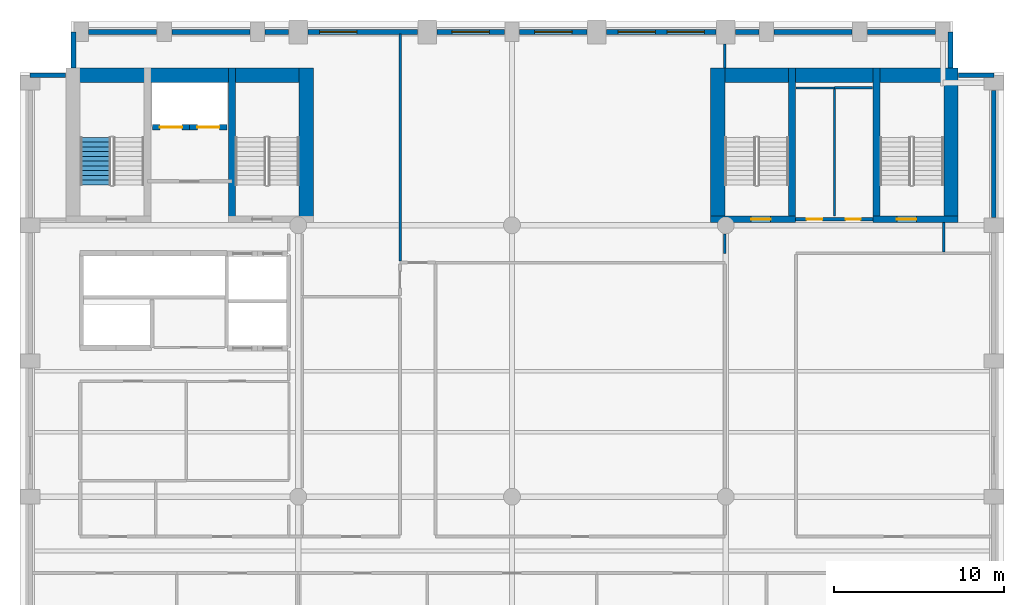
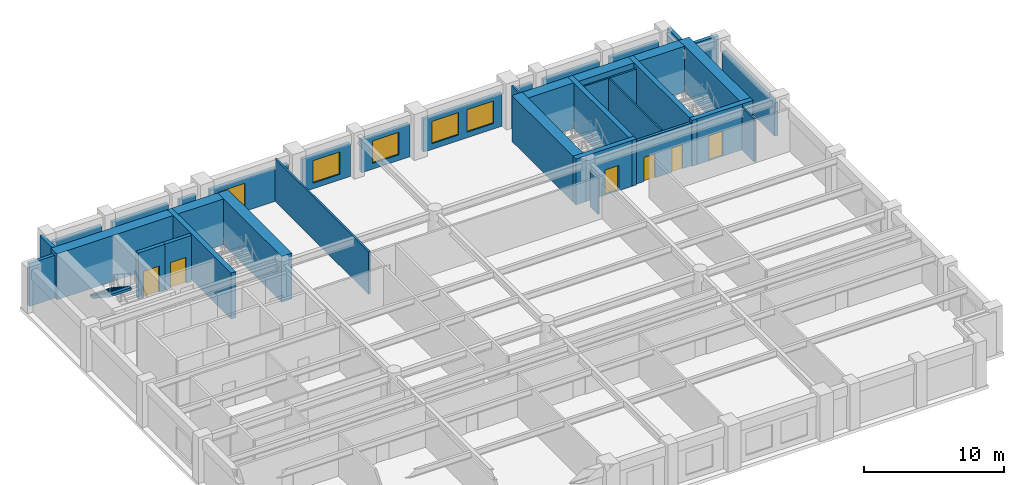
# One storey, part 5 of 8: 35 walls, 6 doors, 5 windows, 1 stair flight, 11 openings, 1 element without a shape of its own.
"""IFC4 building model written with IfcOpenShell, lengths in metres."""

import ifcopenshell
import ifcopenshell.guid

model = None  # the IFC model being written
_history = None  # IfcOwnerHistory: only IFC2X3 demands one
_inside = {}  # id of a spatial element -> (the spatial element, [elements in it])
_under = {}  # id of a project, library or spatial element -> (it, [spatial elements below it])
_declared = {}  # id of a project -> (the project, [libraries it declares])
_typed = {}  # id of a type object -> (the type object, [elements of that type])
_made_of = {}  # id of a material, layer set ... -> (it, [elements and type objects made of it])


def new_model(schema):
    """Start an empty IFC model of exactly this schema.

    Asked for "IFC4X3", IfcOpenShell would pick the latest addendum, in which some entities
    have other attributes; the version numbers below select the first issue.
    IFC2X3 requires an IfcOwnerHistory on every rooted entity: one is made here for all.
    """
    global model, _history
    if schema == "IFC4X3":
        model = ifcopenshell.file(schema_version=(4, 3, 0, 0))
    else:
        model = ifcopenshell.file(schema=schema)
    _inside.clear()
    _under.clear()
    _declared.clear()
    _typed.clear()
    _made_of.clear()
    _history = None
    if model.schema == "IFC2X3":
        org = make("IfcOrganization", Name="unknown")
        user = make(
            "IfcPersonAndOrganization",
            ThePerson=make("IfcPerson", FamilyName="unknown"),
            TheOrganization=org,
        )
        app = make(
            "IfcApplication",
            ApplicationDeveloper=org,
            Version="unknown",
            ApplicationFullName="unknown",
            ApplicationIdentifier="unknown",
        )
        _history = make(
            "IfcOwnerHistory",
            OwningUser=user,
            OwningApplication=app,
            ChangeAction="ADDED",
            CreationDate=0,
        )
    return model


def make(cls, **values):
    """One entity of the class cls with the attributes given. An attribute that is None is left unset."""
    return model.create_entity(
        cls, **{name: value for name, value in values.items() if value is not None}
    )


def rooted(cls, **values):
    """An entity with a GlobalId (a new one), such as an element, a storey or a relation."""
    return make(cls, GlobalId=ifcopenshell.guid.new(), OwnerHistory=_history, **values)


def si_unit(unit_type, name, prefix=None):
    """IfcSIUnit, for example si_unit("LENGTHUNIT", "METRE", prefix="MILLI")."""
    return make("IfcSIUnit", UnitType=unit_type, Prefix=prefix, Name=name)


def assignment(units):
    """IfcUnitAssignment: the units of a project."""
    return None if units is None else make("IfcUnitAssignment", Units=units)


def point(xyz):
    """IfcCartesianPoint."""
    return None if xyz is None else make("IfcCartesianPoint", Coordinates=xyz)


def direction(xyz):
    """IfcDirection."""
    return None if xyz is None else make("IfcDirection", DirectionRatios=xyz)


def frame(location, z_axis=None, x_axis=None):
    """IfcAxis2Placement3D, a coordinate frame: its origin and axes. An axis left out is left unset."""
    return make(
        "IfcAxis2Placement3D",
        Location=point(location),
        Axis=direction(z_axis),
        RefDirection=direction(x_axis),
    )


def frame_2d(location, x_axis=None):
    """IfcAxis2Placement2D, a coordinate frame in the plane: its origin and x axis."""
    return make(
        "IfcAxis2Placement2D", Location=point(location), RefDirection=direction(x_axis)
    )


def origin():
    """The frame at (0, 0, 0) with its axes left unset."""
    return frame((0.0, 0.0, 0.0))


def place(relative_to, where):
    """IfcLocalPlacement: puts the frame where relative to a parent placement (None: the world)."""
    return make(
        "IfcLocalPlacement", PlacementRelTo=relative_to, RelativePlacement=where
    )


def context(
    kind, dimensions, precision=None, world=None, true_north=None, identifier=None
):
    """IfcGeometricRepresentationContext, for example the 3D "Model" context."""
    return make(
        "IfcGeometricRepresentationContext",
        ContextIdentifier=identifier,
        ContextType=kind,
        CoordinateSpaceDimension=dimensions,
        Precision=precision,
        WorldCoordinateSystem=world,
        TrueNorth=true_north,
    )


def subcontext(parent, identifier, kind, view, scale=None):
    """IfcGeometricRepresentationSubContext, for example "Body" below "Model"."""
    return make(
        "IfcGeometricRepresentationSubContext",
        ContextIdentifier=identifier,
        ContextType=kind,
        ParentContext=parent,
        TargetScale=scale,
        TargetView=view,
    )


def project(units=None, contexts=None):
    """IfcProject with its units and contexts."""
    return rooted(
        "IfcProject",
        Name="project",
        RepresentationContexts=contexts,
        UnitsInContext=assignment(units),
    )


def spatial(cls, under=None, at=None, **own):
    """A site, building, storey or space (cls), placed at a placement, below another one or the project."""
    s = rooted(cls, ObjectPlacement=at, **own)
    if under is not None:
        _under.setdefault(under.id(), (under, []))[1].append(s)
    return s


def polyline(points):
    """IfcPolyline through the points."""
    return make("IfcPolyline", Points=[point(p) for p in points])


def profile(cls, at=None, kind="AREA", **sizes):
    """A parametric profile (cls). Its sizes go by their IFC names, for example OverallWidth=200.0."""
    return make(cls, ProfileType=kind, Position=at, **sizes)


def rectangle(**sizes):
    """IfcRectangleProfileDef."""
    return profile("IfcRectangleProfileDef", **sizes)


def outline(outer, holes=None, kind="AREA"):
    """IfcArbitraryClosedProfileDef: a profile drawn as a closed curve; with holes, ...WithVoids."""
    if holes is None:
        return make("IfcArbitraryClosedProfileDef", ProfileType=kind, OuterCurve=outer)
    return make(
        "IfcArbitraryProfileDefWithVoids",
        ProfileType=kind,
        OuterCurve=outer,
        InnerCurves=holes,
    )


def extrude(swept, where, along, depth):
    """IfcExtrudedAreaSolid: the profile swept, set in the frame where, extruded along a direction by depth."""
    return make(
        "IfcExtrudedAreaSolid",
        SweptArea=swept,
        Position=where,
        ExtrudedDirection=direction(along),
        Depth=depth,
    )


def shape(context_of_items, identifier, shape_type, items):
    """IfcShapeRepresentation: the items that make up one representation, for example the "Body"."""
    return make(
        "IfcShapeRepresentation",
        ContextOfItems=context_of_items,
        RepresentationIdentifier=identifier,
        RepresentationType=shape_type,
        Items=items,
    )


def material(Name=None, Category=None):
    """IfcMaterial."""
    return make("IfcMaterial", Name=Name, Category=Category)


def layer(
    of_material, thickness, ventilated=None, Name=None, Category=None, Priority=None
):
    """IfcMaterialLayer: one layer of a wall or slab, of a material (None: an air gap)."""
    return make(
        "IfcMaterialLayer",
        Material=of_material,
        LayerThickness=thickness,
        IsVentilated=ventilated,
        Name=Name,
        Category=Category,
        Priority=Priority,
    )


def layer_set(layers, Name=None):
    """IfcMaterialLayerSet."""
    return make("IfcMaterialLayerSet", MaterialLayers=layers, LayerSetName=Name)


def made_of(thing, what):
    """Note that an element or type object is made of a material, layer set ...; save() writes the relation."""
    if what is not None:
        _made_of.setdefault(what.id(), (what, []))[1].append(thing)
    return thing


def type_object(cls, material=None, **own):
    """A type object (cls), such as IfcWallType, which elements share."""
    return made_of(rooted(cls, **own), material)


def element(
    cls,
    number,
    at=None,
    inside=None,
    cuts=None,
    type_object=None,
    material=None,
    context=None,
    identifier="Body",
    shape_type=None,
    held_by="IfcProductDefinitionShape",
    body=None,
    shapes=None,
    **own,
):
    """One element of the class cls, such as IfcWall. Its Tag is "e" and its number.

    at: its placement. inside: the storey or other place that contains it. cuts: it is an
    opening in that element (IfcRelVoidsElement). A single representation is given by context,
    identifier, shape_type and body (its items); several are given by shapes. held_by: the class
    of the entity that holds the representations. save() writes the other relations.
    """
    e = rooted(cls, Tag="e%d" % number, ObjectPlacement=at, **own)
    if body is not None:
        shapes = [shape(context, identifier, shape_type, body)]
    if shapes is not None:
        e.Representation = make(held_by, Representations=shapes)
    if inside is not None:
        _inside.setdefault(inside.id(), (inside, []))[1].append(e)
    if cuts is not None:
        rooted(
            "IfcRelVoidsElement", RelatingBuildingElement=cuts, RelatedOpeningElement=e
        )
    if type_object is not None:
        _typed.setdefault(type_object.id(), (type_object, []))[1].append(e)
    return made_of(e, material)


def fill(opening, filler):
    """IfcRelFillsElement: the door or window that sits in an opening."""
    return rooted(
        "IfcRelFillsElement",
        RelatingOpeningElement=opening,
        RelatedBuildingElement=filler,
    )


def aggregate(whole, parts):
    """IfcRelAggregates: a whole, such as a stair, and the parts it consists of."""
    return rooted("IfcRelAggregates", RelatingObject=whole, RelatedObjects=parts)


def save(model, path):
    """Write the relations noted so far, then the file.

    IfcRelAggregates (storeys below a building ...), IfcRelContainedInSpatialStructure (elements
    in a storey), IfcRelDefinesByType, IfcRelAssociatesMaterial and IfcRelDeclares: one each for
    every whole, place, type object, material and project.
    """
    for whole, parts in _under.values():
        aggregate(whole, parts)
    for where, things in _inside.values():
        rooted(
            "IfcRelContainedInSpatialStructure",
            RelatedElements=things,
            RelatingStructure=where,
        )
    for kind, things in _typed.values():
        rooted("IfcRelDefinesByType", RelatedObjects=things, RelatingType=kind)
    for what, things in _made_of.values():
        rooted("IfcRelAssociatesMaterial", RelatedObjects=things, RelatingMaterial=what)
    for by, libraries in _declared.values():
        rooted("IfcRelDeclares", RelatingContext=by, RelatedDefinitions=libraries)
    model.write(path)


model = new_model("IFC4")

# Units and contexts
model_context = context("Model", 3, precision=1e-05, world=origin(), true_north=direction((0.0, 1.0)))
body_context = subcontext(model_context, "Body", "Model", "MODEL_VIEW")
ifc_project = project(units=[si_unit("LENGTHUNIT", "METRE"), si_unit("AREAUNIT", "SQUARE_METRE"), si_unit("VOLUMEUNIT", "CUBIC_METRE"), si_unit("PLANEANGLEUNIT", "RADIAN"), si_unit("MASSUNIT", "GRAM", prefix="KILO")], contexts=[model_context])

# Site, building, storey
site_placement = place(None, origin())
site = spatial("IfcSite", under=ifc_project, at=site_placement, CompositionType="ELEMENT")
building_placement = place(site_placement, origin())
building = spatial("IfcBuilding", under=site, at=building_placement, Name="Sulina Concourse Tower", CompositionType="ELEMENT")
storey_placement = place(building_placement, frame((0.0, 0.0, 140.60009765625)))
storey = spatial("IfcBuildingStorey", under=building, at=storey_placement, Name="L34", CompositionType="ELEMENT", Elevation=140.60009765625)

# Wall, opening, door
ifc_material_1 = material(Name="Concrete C50/60", Category="concrete")
ifc_layer_1 = layer(ifc_material_1, 0.300048828125)
ifc_layer_set_1 = layer_set([ifc_layer_1], Name="Concrete C50/60")
wall_type_1 = type_object("IfcWallType", Name="Core Lift Hoistway Wall 300mm", PredefinedType="SOLIDWALL", material=ifc_layer_set_1)
wall_1_placement = place(storey_placement, frame((10.0, 39.780029296875, 0.0), z_axis=(0.0, 0.0, 1.0), x_axis=(-1.0, 0.0, 0.0)))
wall_1 = element("IfcWall", 1, at=wall_1_placement, inside=storey, type_object=wall_type_1, Name="L34 hoistway enclosure wall FFL-1", PredefinedType="SOLIDWALL", context=body_context, shape_type="SweptSolid", body=[
    extrude(rectangle(XDim=2.199951171875, YDim=0.300048828125, at=frame_2d((1.10009765625, 0.0))), origin(), (0.0, 0.0, 1.0), 4.0),
])
opening_1_placement = place(wall_1_placement, frame((0.449951171875, 0.0, 0.0)))
opening_1 = element("IfcOpeningElement", 2, at=opening_1_placement, cuts=wall_1, Name="Opening LD-02", PredefinedType="OPENING", context=body_context, shape_type="SweptSolid", body=[
    extrude(rectangle(XDim=1.300048828125, YDim=2.25, at=frame_2d((0.64990234375, 1.125))), frame((0.0, 0.159912109375, 0.0), z_axis=(0.0, -1.0, 0.0), x_axis=(1.0, 0.0, 0.0)), (0.0, 0.0, 1.0), 0.320068359375),
])
ifc_material_2 = material(Name="Stainless steel lift landing door", Category="steel")
ifc_layer_2 = layer(ifc_material_2, 0.050048828125)
ifc_layer_set_2 = layer_set([ifc_layer_2], Name="Stainless steel lift landing door")
door_type_1 = type_object("IfcDoorType", Name="Firefighting Lift Sliding Landing Door 1300x2250", OperationType="SLIDING_TO_RIGHT", PredefinedType="DOOR", material=ifc_layer_set_2)
door_1_placement = place(opening_1_placement, origin())
door_1 = element("IfcDoor", 3, at=door_1_placement, inside=storey, type_object=door_type_1, Name="L34 lift landing sliding door FFL-1", OperationType="SLIDING_TO_LEFT", OverallHeight=2.25, OverallWidth=1.300048828125, PredefinedType="DOOR", context=body_context, shape_type="SweptSolid", body=[
    extrude(rectangle(XDim=1.300048828125, YDim=2.25, at=frame_2d((0.64990234375, 1.125))), frame((0.0, 0.02490234375, 0.0), z_axis=(0.0, -1.0, 0.0), x_axis=(1.0, 0.0, 0.0)), (0.0, 0.0, 1.0), 0.050048828125),
])
fill(opening_1, door_1)

wall_2_placement = place(storey_placement, frame((12.199951171875, 39.780029296875, 0.0), z_axis=(0.0, 0.0, 1.0), x_axis=(-1.0, 0.0, 0.0)))
wall_2 = element("IfcWall", 4, at=wall_2_placement, inside=storey, type_object=wall_type_1, Name="L34 hoistway enclosure wall FFL-2", PredefinedType="SOLIDWALL", context=body_context, shape_type="SweptSolid", body=[
    extrude(rectangle(XDim=2.199951171875, YDim=0.300048828125, at=frame_2d((1.10009765625, 0.0))), origin(), (0.0, 0.0, 1.0), 4.0),
])
opening_2_placement = place(wall_2_placement, frame((0.449951171875, 0.0, 0.0)))
opening_2 = element("IfcOpeningElement", 5, at=opening_2_placement, cuts=wall_2, Name="Opening LD-02", PredefinedType="OPENING", context=body_context, shape_type="SweptSolid", body=[
    extrude(rectangle(XDim=1.300048828125, YDim=2.25, at=frame_2d((0.64990234375, 1.125))), frame((0.0, 0.159912109375, 0.0), z_axis=(0.0, -1.0, 0.0), x_axis=(1.0, 0.0, 0.0)), (0.0, 0.0, 1.0), 0.320068359375),
])
door_2_placement = place(opening_2_placement, origin())
door_2 = element("IfcDoor", 6, at=door_2_placement, inside=storey, type_object=door_type_1, Name="L34 lift landing sliding door FFL-2", OperationType="SLIDING_TO_RIGHT", OverallHeight=2.25, OverallWidth=1.300048828125, PredefinedType="DOOR", context=body_context, shape_type="SweptSolid", body=[
    extrude(rectangle(XDim=1.300048828125, YDim=2.25, at=frame_2d((0.64990234375, 1.125))), frame((0.0, 0.02490234375, 0.0), z_axis=(0.0, -1.0, 0.0), x_axis=(1.0, 0.0, 0.0)), (0.0, 0.0, 1.0), 0.050048828125),
])
fill(opening_2, door_2)

# Wall, openings, doors
ifc_material_3 = material(Name="Gypsum board on steel stud", Category="steel")
ifc_layer_3 = layer(ifc_material_3, 0.219970703125)
ifc_layer_set_3 = layer_set([ifc_layer_3], Name="Gypsum board on steel stud")
wall_type_2 = type_object("IfcWallType", Name="Fire-Rated Lobby & Compartment Wall 220mm", PredefinedType="PARTITIONING", material=ifc_layer_set_3)
wall_3_placement = place(storey_placement, frame((45.719970703125, 34.35009765625, 0.0), z_axis=(0.0, 0.0, 1.0), x_axis=(1.0, 0.0, 0.0)))
wall_3 = element("IfcWall", 7, at=wall_3_placement, inside=storey, type_object=wall_type_2, Name="L34 east core south lobby wall", PredefinedType="PARTITIONING", context=body_context, shape_type="SweptSolid", body=[
    extrude(rectangle(XDim=4.56005859375, YDim=0.219970703125, at=frame_2d((2.280029296875, 0.0))), origin(), (0.0, 0.0, 1.0), 3.724853515625),
])
opening_3_placement = place(wall_3_placement, frame((0.64990234375, 0.0, 0.0)))
opening_3 = element("IfcOpeningElement", 8, at=opening_3_placement, cuts=wall_3, Name="Opening DR-61", PredefinedType="OPENING", context=body_context, shape_type="SweptSolid", body=[
    extrude(rectangle(XDim=0.919921875, YDim=2.10009765625, at=frame_2d((0.4599609375, 1.050048828125))), frame((0.0, 0.119873046875, 0.0), z_axis=(0.0, -1.0, 0.0), x_axis=(1.0, 0.0, 0.0)), (0.0, 0.0, 1.0), 0.239990234375),
])
opening_4_placement = place(wall_3_placement, frame((2.949951171875, 0.0, 0.0)))
opening_4 = element("IfcOpeningElement", 9, at=opening_4_placement, cuts=wall_3, Name="Opening DR-38", PredefinedType="OPENING", context=body_context, shape_type="SweptSolid", body=[
    extrude(rectangle(XDim=0.8798828125, YDim=2.10009765625, at=frame_2d((0.43994140625, 1.050048828125))), frame((0.0, 0.119873046875, 0.0), z_axis=(0.0, -1.0, 0.0), x_axis=(1.0, 0.0, 0.0)), (0.0, 0.0, 1.0), 0.239990234375),
])
ifc_material_4 = material(Name="Oak-veneered fire door leaf")
ifc_layer_4 = layer(ifc_material_4, 0.050048828125)
ifc_layer_set_4 = layer_set([ifc_layer_4], Name="Oak-veneered fire door leaf")
door_type_2 = type_object("IfcDoorType", Name="Accessible WC Door 920x2100", OperationType="NOTDEFINED", PredefinedType="DOOR", material=ifc_layer_set_4)
door_3_placement = place(opening_3_placement, origin())
door_3 = element("IfcDoor", 10, at=door_3_placement, inside=storey, type_object=door_type_2, Name="L34 east core accessible wc door", OperationType="SINGLE_SWING_LEFT", OverallHeight=2.10009765625, OverallWidth=0.919921875, PredefinedType="DOOR", context=body_context, shape_type="SweptSolid", body=[
    extrude(rectangle(XDim=0.919921875, YDim=2.10009765625, at=frame_2d((0.4599609375, 1.050048828125))), frame((0.0, 0.02490234375, 0.0), z_axis=(0.0, -1.0, 0.0), x_axis=(1.0, 0.0, 0.0)), (0.0, 0.0, 1.0), 0.050048828125),
])
fill(opening_3, door_3)
ifc_material_5 = material(Name="Galvanised steel acoustic fire leaf", Category="steel")
ifc_layer_5 = layer(ifc_material_5, 0.050048828125)
ifc_layer_set_5 = layer_set([ifc_layer_5], Name="Galvanised steel acoustic fire leaf")
door_type_3 = type_object("IfcDoorType", Name="Service Riser Fire Door 880x2100", OperationType="NOTDEFINED", PredefinedType="DOOR", material=ifc_layer_set_5)
door_4_placement = place(opening_4_placement, origin())
door_4 = element("IfcDoor", 11, at=door_4_placement, inside=storey, type_object=door_type_3, Name="L34 east core store door", OperationType="SINGLE_SWING_RIGHT", OverallHeight=2.10009765625, OverallWidth=0.8798828125, PredefinedType="DOOR", context=body_context, shape_type="SweptSolid", body=[
    extrude(rectangle(XDim=0.8798828125, YDim=2.10009765625, at=frame_2d((0.43994140625, 1.050048828125))), frame((0.0, 0.02490234375, 0.0), z_axis=(0.0, -1.0, 0.0), x_axis=(1.0, 0.0, 0.0)), (0.0, 0.0, 1.0), 0.050048828125),
])
fill(opening_4, door_4)

# Walls
ifc_material_6 = material(Name="Gypsum board on steel stud", Category="steel")
ifc_layer_6 = layer(ifc_material_6, 0.14990234375)
ifc_layer_set_6 = layer_set([ifc_layer_6], Name="Gypsum board on steel stud")
wall_type_3 = type_object("IfcWallType", Name="Inter-Tenancy Acoustic Partition 150mm", PredefinedType="PARTITIONING", material=ifc_layer_set_6)
wall_4_placement = place(storey_placement, frame((48.0, 42.10009765625, 0.0), z_axis=(0.0, 0.0, 1.0), x_axis=(1.0, 0.0, 0.0)))
element("IfcWall", 12, at=wall_4_placement, inside=storey, type_object=wall_type_3, Name="L34 interior partition 026", PredefinedType="PARTITIONING", context=body_context, shape_type="SweptSolid", body=[
    extrude(rectangle(XDim=2.25, YDim=0.14990234375, at=frame_2d((1.125, 0.0))), origin(), (0.0, 0.0, 1.0), 3.724853515625),
])
wall_5_placement = place(storey_placement, frame((22.39990234375, 31.889892578125, 0.0), z_axis=(0.0, 0.0, 1.0), x_axis=(0.0, 1.0, 0.0)))
element("IfcWall", 13, at=wall_5_placement, inside=storey, type_object=wall_type_3, Name="L34 interior partition 042", PredefinedType="PARTITIONING", context=body_context, shape_type="SweptSolid", body=[
    extrude(rectangle(XDim=13.3701171875, YDim=0.14990234375, at=frame_2d((6.68505859375, 0.0))), origin(), (0.0, 0.0, 1.0), 3.724853515625),
])
wall_6_placement = place(storey_placement, frame((41.550048828125, 32.35009765625, 0.0), z_axis=(0.0, 0.0, 1.0), x_axis=(0.0, 1.0, 0.0)))
element("IfcWall", 14, at=wall_6_placement, inside=storey, type_object=wall_type_3, Name="L34 interior partition 048", PredefinedType="PARTITIONING", context=body_context, shape_type="SweptSolid", body=[
    extrude(rectangle(XDim=1.14990234375, YDim=0.14990234375, at=frame_2d((0.574951171875, 0.0))), origin(), (0.0, 0.0, 1.0), 3.06982421875),
])
wall_7_placement = place(storey_placement, frame((41.550048828125, 43.280029296875, 0.0), z_axis=(0.0, 0.0, 1.0), x_axis=(0.0, 1.0, 0.0)))
element("IfcWall", 15, at=wall_7_placement, inside=storey, type_object=wall_type_3, Name="L34 interior partition 049", PredefinedType="PARTITIONING", context=body_context, shape_type="SweptSolid", body=[
    extrude(rectangle(XDim=1.419921875, YDim=0.14990234375, at=frame_2d((0.7099609375, 0.0))), origin(), (0.0, 0.0, 1.0), 3.724853515625),
])
wall_8_placement = place(storey_placement, frame((54.449951171875, 32.425048828125, 0.0), z_axis=(0.0, 0.0, 1.0), x_axis=(0.0, 1.0, 0.0)))
element("IfcWall", 16, at=wall_8_placement, inside=storey, type_object=wall_type_3, Name="L34 interior partition 053", PredefinedType="PARTITIONING", context=body_context, shape_type="SweptSolid", body=[
    extrude(rectangle(XDim=1.724853515625, YDim=0.14990234375, at=frame_2d((0.8623046875, 0.0))), origin(), (0.0, 0.0, 1.0), 3.724853515625),
])
ifc_material_7 = material(Name="Concrete C60/75", Category="concrete")
ifc_layer_7 = layer(ifc_material_7, 0.39990234375)
ifc_layer_set_7 = layer_set([ifc_layer_7], Name="Concrete C60/75")
wall_type_4 = type_object("IfcWallType", Name="Protected Stair Core Shear Wall 400mm", PredefinedType="SHEAR", material=ifc_layer_set_7)
wall_9_placement = place(storey_placement, frame((12.489990234375, 34.14990234375, 0.0), z_axis=(0.0, 0.0, 1.0), x_axis=(0.0, 1.0, 0.0)))
element("IfcWall", 17, at=wall_9_placement, inside=storey, type_object=wall_type_4, Name="L34 west core shear wall SW-ST2", PredefinedType="SHEAR", context=body_context, shape_type="SweptSolid", body=[
    extrude(rectangle(XDim=9.130126953125, YDim=0.39990234375, at=frame_2d((4.56494140625, 0.0))), origin(), (0.0, 0.0, 1.0), 4.0),
])

# Wall, opening, door
wall_10_placement = place(storey_placement, frame((40.699951171875, 34.35009765625, 0.0), z_axis=(0.0, 0.0, 1.0), x_axis=(1.0, 0.0, 0.0)))
wall_10 = element("IfcWall", 18, at=wall_10_placement, inside=storey, type_object=wall_type_4, Name="L34 east core shear wall CW-ES1", PredefinedType="SHEAR", context=body_context, shape_type="SweptSolid", body=[
    extrude(rectangle(XDim=5.010009765625, YDim=0.39990234375, at=frame_2d((2.5048828125, 0.0))), origin(), (0.0, 0.0, 1.0), 4.0),
])
opening_5_placement = place(wall_10_placement, frame((2.39990234375, 0.0, 0.0)))
opening_5 = element("IfcOpeningElement", 19, at=opening_5_placement, cuts=wall_10, Name="Opening DR-60", PredefinedType="OPENING", context=body_context, shape_type="SweptSolid", body=[
    extrude(rectangle(XDim=1.14990234375, YDim=2.199951171875, at=frame_2d((0.574951171875, 1.10009765625))), frame((0.0, 0.2099609375, 0.0), z_axis=(0.0, -1.0, 0.0), x_axis=(1.0, 0.0, 0.0)), (0.0, 0.0, 1.0), 0.419921875),
])
ifc_material_8 = material(Name="Galvanised steel acoustic fire leaf", Category="steel")
ifc_layer_8 = layer(ifc_material_8, 0.054931640625)
ifc_layer_set_8 = layer_set([ifc_layer_8], Name="Galvanised steel acoustic fire leaf")
door_type_4 = type_object("IfcDoorType", Name="Protected Exit Stair Fire Door 1150x2200", OperationType="NOTDEFINED", PredefinedType="DOOR", material=ifc_layer_set_8)
door_5_placement = place(opening_5_placement, origin())
door_5 = element("IfcDoor", 20, at=door_5_placement, inside=storey, type_object=door_type_4, Name="L34 stair ST-3 south lobby fire door", OperationType="SINGLE_SWING_RIGHT", OverallHeight=2.199951171875, OverallWidth=1.14990234375, PredefinedType="DOOR", context=body_context, shape_type="SweptSolid", body=[
    extrude(rectangle(XDim=1.14990234375, YDim=2.199951171875, at=frame_2d((0.574951171875, 1.10009765625))), frame((0.0, 0.02490234375, 0.0), z_axis=(0.0, -1.0, 0.0), x_axis=(1.0, 0.0, 0.0)), (0.0, 0.0, 1.0), 0.050048828125),
])
fill(opening_5, door_5)

# Wall
wall_11_placement = place(storey_placement, frame((45.510009765625, 34.14990234375, 0.0), z_axis=(0.0, 0.0, 1.0), x_axis=(0.0, 1.0, 0.0)))
element("IfcWall", 21, at=wall_11_placement, inside=storey, type_object=wall_type_4, Name="L34 east core shear wall SW-ST3", PredefinedType="SHEAR", context=body_context, shape_type="SweptSolid", body=[
    extrude(rectangle(XDim=9.130126953125, YDim=0.39990234375, at=frame_2d((4.56494140625, 0.0))), origin(), (0.0, 0.0, 1.0), 4.0),
])

# Wall, opening, door
wall_12_placement = place(storey_placement, frame((50.2900390625, 34.35009765625, 0.0), z_axis=(0.0, 0.0, 1.0), x_axis=(1.0, 0.0, 0.0)))
wall_12 = element("IfcWall", 22, at=wall_12_placement, inside=storey, type_object=wall_type_4, Name="L34 east core shear wall CW-ES2", PredefinedType="SHEAR", context=body_context, shape_type="SweptSolid", body=[
    extrude(rectangle(XDim=5.010009765625, YDim=0.39990234375, at=frame_2d((2.5048828125, 0.0))), origin(), (0.0, 0.0, 1.0), 4.0),
])
opening_6_placement = place(wall_12_placement, frame((1.39990234375, 0.0, 0.0)))
opening_6 = element("IfcOpeningElement", 23, at=opening_6_placement, cuts=wall_12, Name="Opening DR-60", PredefinedType="OPENING", context=body_context, shape_type="SweptSolid", body=[
    extrude(rectangle(XDim=1.14990234375, YDim=2.199951171875, at=frame_2d((0.574951171875, 1.10009765625))), frame((0.0, 0.2099609375, 0.0), z_axis=(0.0, -1.0, 0.0), x_axis=(1.0, 0.0, 0.0)), (0.0, 0.0, 1.0), 0.419921875),
])
door_6_placement = place(opening_6_placement, origin())
door_6 = element("IfcDoor", 24, at=door_6_placement, inside=storey, type_object=door_type_4, Name="L34 stair ST-4 south lobby fire door", OperationType="SINGLE_SWING_LEFT", OverallHeight=2.199951171875, OverallWidth=1.14990234375, PredefinedType="DOOR", context=body_context, shape_type="SweptSolid", body=[
    extrude(rectangle(XDim=1.14990234375, YDim=2.199951171875, at=frame_2d((0.574951171875, 1.10009765625))), frame((0.0, 0.02490234375, 0.0), z_axis=(0.0, -1.0, 0.0), x_axis=(1.0, 0.0, 0.0)), (0.0, 0.0, 1.0), 0.050048828125),
])
fill(opening_6, door_6)

# Walls
wall_13_placement = place(storey_placement, frame((50.489990234375, 34.14990234375, 0.0), z_axis=(0.0, 0.0, 1.0), x_axis=(0.0, 1.0, 0.0)))
element("IfcWall", 25, at=wall_13_placement, inside=storey, type_object=wall_type_4, Name="L34 east core shear wall SW-ST4", PredefinedType="SHEAR", context=body_context, shape_type="SweptSolid", body=[
    extrude(rectangle(XDim=9.130126953125, YDim=0.39990234375, at=frame_2d((4.56494140625, 0.0))), origin(), (0.0, 0.0, 1.0), 4.0),
])
ifc_material_9 = material(Name="Concrete C60/75", Category="concrete")
ifc_layer_9 = layer(ifc_material_9, 0.85009765625)
ifc_layer_set_9 = layer_set([ifc_layer_9], Name="Concrete C60/75")
wall_type_5 = type_object("IfcWallType", Name="Rear Core Shear Wall 850mm", PredefinedType="SHEAR", material=ifc_layer_set_9)
wall_14_placement = place(storey_placement, frame((2.699951171875, 42.85498046875, 0.0), z_axis=(0.0, 0.0, 1.0), x_axis=(1.0, 0.0, 0.0)))
element("IfcWall", 26, at=wall_14_placement, inside=storey, type_object=wall_type_5, Name="L34 west core shear wall CW-WN", PredefinedType="SHEAR", context=body_context, shape_type="SweptSolid", body=[
    extrude(rectangle(XDim=14.60009765625, YDim=0.85009765625, at=frame_2d((7.300048828125, 0.0))), origin(), (0.0, 0.0, 1.0), 4.0),
])
wall_15_placement = place(storey_placement, frame((16.875, 34.14990234375, 0.0), z_axis=(0.0, 0.0, 1.0), x_axis=(0.0, 1.0, 0.0)))
element("IfcWall", 27, at=wall_15_placement, inside=storey, type_object=wall_type_5, Name="L34 west core shear wall CW-WE", PredefinedType="SHEAR", context=body_context, shape_type="SweptSolid", body=[
    extrude(rectangle(XDim=9.130126953125, YDim=0.85009765625, at=frame_2d((4.56494140625, 0.0))), origin(), (0.0, 0.0, 1.0), 4.0),
])
wall_16_placement = place(storey_placement, frame((40.699951171875, 42.85498046875, 0.0), z_axis=(0.0, 0.0, 1.0), x_axis=(1.0, 0.0, 0.0)))
element("IfcWall", 28, at=wall_16_placement, inside=storey, type_object=wall_type_5, Name="L34 east core shear wall CW-EN", PredefinedType="SHEAR", context=body_context, shape_type="SweptSolid", body=[
    extrude(rectangle(XDim=14.60009765625, YDim=0.85009765625, at=frame_2d((7.300048828125, 0.0))), origin(), (0.0, 0.0, 1.0), 4.0),
])
for number, where, z_axis, x_axis, name in (
    (29, (41.125, 34.14990234375, 0.0), (0.0, 0.0, 1.0), (0.0, 1.0, 0.0), "L34 east core shear wall CW-EW"),
    (30, (54.875, 34.14990234375, 0.0), (0.0, 0.0, 1.0), (0.0, 1.0, 0.0), "L34 east core shear wall CW-EE"),
):
    element("IfcWall", number, at=place(storey_placement, frame(where, z_axis=z_axis, x_axis=x_axis)), inside=storey, type_object=wall_type_5, Name=name, PredefinedType="SHEAR", context=body_context, shape_type="SweptSolid", body=[
        extrude(rectangle(XDim=9.130126953125, YDim=0.85009765625, at=frame_2d((4.56494140625, 0.0))), origin(), (0.0, 0.0, 1.0), 4.0),
    ])
ifc_material_10 = material(Name="Precast concrete C50/60", Category="concrete")
ifc_layer_10 = layer(ifc_material_10, 0.280029296875)
ifc_layer_set_10 = layer_set([ifc_layer_10], Name="Precast concrete C50/60")
wall_type_6 = type_object("IfcWallType", Name="Typical Precast Masonry-Frame Facade Wall 280mm", PredefinedType="SOLIDWALL", material=ifc_layer_set_10)
wall_17_placement = place(storey_placement, frame((4.044921875, 45.39990234375, 0.0), z_axis=(0.0, 0.0, 1.0), x_axis=(1.0, 0.0, 0.0)))
element("IfcWall", 31, at=wall_17_placement, inside=storey, type_object=wall_type_6, Name="L34 exterior precast wall N1", PredefinedType="SOLIDWALL", context=body_context, shape_type="SweptSolid", body=[
    extrude(rectangle(XDim=4.010009765625, YDim=0.280029296875, at=frame_2d((2.0048828125, 0.0))), origin(), (0.0, 0.0, 1.0), 2.875),
])
wall_18_placement = place(storey_placement, frame((8.945068359375, 45.39990234375, 0.0), z_axis=(0.0, 0.0, 1.0), x_axis=(1.0, 0.0, 0.0)))
element("IfcWall", 32, at=wall_18_placement, inside=storey, type_object=wall_type_6, Name="L34 exterior precast wall N2", PredefinedType="SOLIDWALL", context=body_context, shape_type="SweptSolid", body=[
    extrude(rectangle(XDim=4.60986328125, YDim=0.280029296875, at=frame_2d((2.304931640625, 0.0))), origin(), (0.0, 0.0, 1.0), 2.875),
])
wall_19_placement = place(storey_placement, frame((14.445068359375, 45.39990234375, 0.0), z_axis=(0.0, 0.0, 1.0), x_axis=(1.0, 0.0, 0.0)))
element("IfcWall", 33, at=wall_19_placement, inside=storey, type_object=wall_type_6, Name="L34 exterior precast wall N3", PredefinedType="SOLIDWALL", context=body_context, shape_type="SweptSolid", body=[
    extrude(rectangle(XDim=1.385009765625, YDim=0.280029296875, at=frame_2d((0.6923828125, 0.0))), origin(), (0.0, 0.0, 1.0), 2.875),
])

# Wall, opening, window
wall_20_placement = place(storey_placement, frame((16.969970703125, 45.39990234375, 0.0), z_axis=(0.0, 0.0, 1.0), x_axis=(1.0, 0.0, 0.0)))
wall_20 = element("IfcWall", 34, at=wall_20_placement, inside=storey, type_object=wall_type_6, Name="L34 exterior precast wall N4", PredefinedType="SOLIDWALL", context=body_context, shape_type="SweptSolid", body=[
    extrude(rectangle(XDim=6.4599609375, YDim=0.280029296875, at=frame_2d((3.22998046875, 0.0))), origin(), (0.0, 0.0, 1.0), 2.875),
])
opening_7_placement = place(wall_20_placement, frame((0.686767578125, 0.0, 0.5)))
opening_7 = element("IfcOpeningElement", 35, at=opening_7_placement, cuts=wall_20, Name="Opening WN-76", PredefinedType="OPENING", context=body_context, shape_type="SweptSolid", body=[
    extrude(rectangle(XDim=2.199951171875, YDim=1.949951171875, at=frame_2d((1.10009765625, 0.97509765625))), frame((0.0, 0.14990234375, 0.0), z_axis=(0.0, -1.0, 0.0), x_axis=(1.0, 0.0, 0.0)), (0.0, 0.0, 1.0), 0.300048828125),
])
ifc_material_11 = material(Name="Low-E solar double glazing in bronze aluminium", Category="aluminium")
window_type = type_object("IfcWindowType", Name="Recessed Spandrel Window 2200x1950", PartitioningType="DOUBLE_PANEL_VERTICAL", PredefinedType="WINDOW", material=ifc_material_11)
window_1_placement = place(opening_7_placement, origin())
window_1 = element("IfcWindow", 36, at=window_1_placement, inside=storey, type_object=window_type, Name="L34 punched window N4-1", OverallHeight=1.949951171875, OverallWidth=2.199951171875, PartitioningType="SINGLE_PANEL", PredefinedType="WINDOW", context=body_context, shape_type="SweptSolid", body=[
    extrude(rectangle(XDim=2.199951171875, YDim=1.949951171875, at=frame_2d((1.10009765625, 0.97509765625))), frame((0.0, 0.030029296875, 0.0), z_axis=(0.0, -1.0, 0.0), x_axis=(1.0, 0.0, 0.0)), (0.0, 0.0, 1.0), 0.06005859375),
])
fill(opening_7, window_1)

wall_21_placement = place(storey_placement, frame((24.570068359375, 45.39990234375, 0.0), z_axis=(0.0, 0.0, 1.0), x_axis=(1.0, 0.0, 0.0)))
wall_21 = element("IfcWall", 37, at=wall_21_placement, inside=storey, type_object=wall_type_6, Name="L34 exterior precast wall N5", PredefinedType="SOLIDWALL", context=body_context, shape_type="SweptSolid", body=[
    extrude(rectangle(XDim=3.98486328125, YDim=0.280029296875, at=frame_2d((1.992431640625, 0.0))), origin(), (0.0, 0.0, 1.0), 2.875),
])
opening_8_placement = place(wall_21_placement, frame((0.892578125, 0.0, 0.5)))
opening_8 = element("IfcOpeningElement", 38, at=opening_8_placement, cuts=wall_21, Name="Opening WN-76", PredefinedType="OPENING", context=body_context, shape_type="SweptSolid", body=[
    extrude(rectangle(XDim=2.199951171875, YDim=1.949951171875, at=frame_2d((1.10009765625, 0.97509765625))), frame((0.0, 0.14990234375, 0.0), z_axis=(0.0, -1.0, 0.0), x_axis=(1.0, 0.0, 0.0)), (0.0, 0.0, 1.0), 0.300048828125),
])
window_2_placement = place(opening_8_placement, origin())
window_2 = element("IfcWindow", 39, at=window_2_placement, inside=storey, type_object=window_type, Name="L34 punched window N5-1", OverallHeight=1.949951171875, OverallWidth=2.199951171875, PartitioningType="SINGLE_PANEL", PredefinedType="WINDOW", context=body_context, shape_type="SweptSolid", body=[
    extrude(rectangle(XDim=2.199951171875, YDim=1.949951171875, at=frame_2d((1.10009765625, 0.97509765625))), frame((0.0, 0.030029296875, 0.0), z_axis=(0.0, -1.0, 0.0), x_axis=(1.0, 0.0, 0.0)), (0.0, 0.0, 1.0), 0.06005859375),
])
fill(opening_8, window_2)

wall_22_placement = place(storey_placement, frame((29.445068359375, 45.39990234375, 0.0), z_axis=(0.0, 0.0, 1.0), x_axis=(1.0, 0.0, 0.0)))
wall_22 = element("IfcWall", 40, at=wall_22_placement, inside=storey, type_object=wall_type_6, Name="L34 exterior precast wall N6", PredefinedType="SOLIDWALL", context=body_context, shape_type="SweptSolid", body=[
    extrude(rectangle(XDim=3.98486328125, YDim=0.280029296875, at=frame_2d((1.992431640625, 0.0))), origin(), (0.0, 0.0, 1.0), 2.875),
])
opening_9_placement = place(wall_22_placement, frame((0.892578125, 0.0, 0.5)))
opening_9 = element("IfcOpeningElement", 41, at=opening_9_placement, cuts=wall_22, Name="Opening WN-76", PredefinedType="OPENING", context=body_context, shape_type="SweptSolid", body=[
    extrude(rectangle(XDim=2.199951171875, YDim=1.949951171875, at=frame_2d((1.10009765625, 0.97509765625))), frame((0.0, 0.14990234375, 0.0), z_axis=(0.0, -1.0, 0.0), x_axis=(1.0, 0.0, 0.0)), (0.0, 0.0, 1.0), 0.300048828125),
])
window_3_placement = place(opening_9_placement, origin())
window_3 = element("IfcWindow", 42, at=window_3_placement, inside=storey, type_object=window_type, Name="L34 punched window N6-1", OverallHeight=1.949951171875, OverallWidth=2.199951171875, PartitioningType="SINGLE_PANEL", PredefinedType="WINDOW", context=body_context, shape_type="SweptSolid", body=[
    extrude(rectangle(XDim=2.199951171875, YDim=1.949951171875, at=frame_2d((1.10009765625, 0.97509765625))), frame((0.0, 0.030029296875, 0.0), z_axis=(0.0, -1.0, 0.0), x_axis=(1.0, 0.0, 0.0)), (0.0, 0.0, 1.0), 0.06005859375),
])
fill(opening_9, window_3)

# Wall, openings, windows
wall_23_placement = place(storey_placement, frame((34.570068359375, 45.39990234375, 0.0), z_axis=(0.0, 0.0, 1.0), x_axis=(1.0, 0.0, 0.0)))
wall_23 = element("IfcWall", 43, at=wall_23_placement, inside=storey, type_object=wall_type_6, Name="L34 exterior precast wall N7", PredefinedType="SOLIDWALL", context=body_context, shape_type="SweptSolid", body=[
    extrude(rectangle(XDim=6.4599609375, YDim=0.280029296875, at=frame_2d((3.22998046875, 0.0))), origin(), (0.0, 0.0, 1.0), 2.875),
])
opening_10_placement = place(wall_23_placement, frame((0.686767578125, 0.0, 0.5)))
opening_10 = element("IfcOpeningElement", 44, at=opening_10_placement, cuts=wall_23, Name="Opening WN-76", PredefinedType="OPENING", context=body_context, shape_type="SweptSolid", body=[
    extrude(rectangle(XDim=2.199951171875, YDim=1.949951171875, at=frame_2d((1.10009765625, 0.97509765625))), frame((0.0, 0.14990234375, 0.0), z_axis=(0.0, -1.0, 0.0), x_axis=(1.0, 0.0, 0.0)), (0.0, 0.0, 1.0), 0.300048828125),
])
opening_11_placement = place(wall_23_placement, frame((3.5732421875, 0.0, 0.5)))
opening_11 = element("IfcOpeningElement", 45, at=opening_11_placement, cuts=wall_23, Name="Opening WN-76", PredefinedType="OPENING", context=body_context, shape_type="SweptSolid", body=[
    extrude(rectangle(XDim=2.199951171875, YDim=1.949951171875, at=frame_2d((1.10009765625, 0.97509765625))), frame((0.0, 0.14990234375, 0.0), z_axis=(0.0, -1.0, 0.0), x_axis=(1.0, 0.0, 0.0)), (0.0, 0.0, 1.0), 0.300048828125),
])
window_4_placement = place(opening_10_placement, origin())
window_4 = element("IfcWindow", 46, at=window_4_placement, inside=storey, type_object=window_type, Name="L34 punched window N7-1", OverallHeight=1.949951171875, OverallWidth=2.199951171875, PartitioningType="SINGLE_PANEL", PredefinedType="WINDOW", context=body_context, shape_type="SweptSolid", body=[
    extrude(rectangle(XDim=2.199951171875, YDim=1.949951171875, at=frame_2d((1.10009765625, 0.97509765625))), frame((0.0, 0.030029296875, 0.0), z_axis=(0.0, -1.0, 0.0), x_axis=(1.0, 0.0, 0.0)), (0.0, 0.0, 1.0), 0.06005859375),
])
fill(opening_10, window_4)
window_5_placement = place(opening_11_placement, origin())
window_5 = element("IfcWindow", 47, at=window_5_placement, inside=storey, type_object=window_type, Name="L34 punched window N7-2", OverallHeight=1.949951171875, OverallWidth=2.199951171875, PartitioningType="SINGLE_PANEL", PredefinedType="WINDOW", context=body_context, shape_type="SweptSolid", body=[
    extrude(rectangle(XDim=2.199951171875, YDim=1.949951171875, at=frame_2d((1.10009765625, 0.97509765625))), frame((0.0, 0.030029296875, 0.0), z_axis=(0.0, -1.0, 0.0), x_axis=(1.0, 0.0, 0.0)), (0.0, 0.0, 1.0), 0.06005859375),
])
fill(opening_11, window_5)

# Walls
wall_24_placement = place(storey_placement, frame((42.169921875, 45.39990234375, 0.0), z_axis=(0.0, 0.0, 1.0), x_axis=(1.0, 0.0, 0.0)))
element("IfcWall", 48, at=wall_24_placement, inside=storey, type_object=wall_type_6, Name="L34 exterior precast wall N8", PredefinedType="SOLIDWALL", context=body_context, shape_type="SweptSolid", body=[
    extrude(rectangle(XDim=1.385009765625, YDim=0.280029296875, at=frame_2d((0.6923828125, 0.0))), origin(), (0.0, 0.0, 1.0), 2.875),
])
wall_25_placement = place(storey_placement, frame((44.445068359375, 45.39990234375, 0.0), z_axis=(0.0, 0.0, 1.0), x_axis=(1.0, 0.0, 0.0)))
element("IfcWall", 49, at=wall_25_placement, inside=storey, type_object=wall_type_6, Name="L34 exterior precast wall N9", PredefinedType="SOLIDWALL", context=body_context, shape_type="SweptSolid", body=[
    extrude(rectangle(XDim=4.60986328125, YDim=0.280029296875, at=frame_2d((2.304931640625, 0.0))), origin(), (0.0, 0.0, 1.0), 2.875),
])
wall_26_placement = place(storey_placement, frame((49.945068359375, 45.39990234375, 0.0), z_axis=(0.0, 0.0, 1.0), x_axis=(1.0, 0.0, 0.0)))
element("IfcWall", 50, at=wall_26_placement, inside=storey, type_object=wall_type_6, Name="L34 exterior precast wall N10", PredefinedType="SOLIDWALL", context=body_context, shape_type="SweptSolid", body=[
    extrude(rectangle(XDim=4.010009765625, YDim=0.280029296875, at=frame_2d((2.0048828125, 0.0))), origin(), (0.0, 0.0, 1.0), 2.875),
])
wall_27_placement = place(storey_placement, frame((57.39990234375, 41.955078125, 0.0), z_axis=(0.0, 0.0, 1.0), x_axis=(0.0, -1.0, 0.0)))
element("IfcWall", 51, at=wall_27_placement, inside=storey, type_object=wall_type_6, Name="L34 exterior precast wall E5", PredefinedType="SOLIDWALL", context=body_context, shape_type="SweptSolid", body=[
    extrude(rectangle(XDim=7.510009765625, YDim=0.280029296875, at=frame_2d((3.7548828125, 0.0))), origin(), (0.0, 0.0, 1.0), 2.875),
])
wall_28_placement = place(storey_placement, frame((0.60009765625, 42.844970703125, 0.0), z_axis=(0.0, 0.0, 1.0), x_axis=(1.0, 0.0, 0.0)))
element("IfcWall", 52, at=wall_28_placement, inside=storey, type_object=wall_type_6, Name="L34 exterior precast wall CNW1", PredefinedType="SOLIDWALL", context=body_context, shape_type="SweptSolid", body=[
    extrude(rectangle(XDim=2.094970703125, YDim=0.280029296875, at=frame_2d((1.04736328125, 0.0))), origin(), (0.0, 0.0, 1.0), 3.724853515625),
])
for number, where, z_axis, x_axis, name in (
    (53, (3.155029296875, 43.284912109375, 0.0), (0.0, 0.0, 1.0), (0.0, 1.0, 0.0), "L34 exterior precast wall CNW2"),
    (54, (54.844970703125, 45.39990234375, 0.0), (0.0, 0.0, 1.0), (0.0, -1.0, 0.0), "L34 exterior precast wall CNE1"),
):
    element("IfcWall", number, at=place(storey_placement, frame(where, z_axis=z_axis, x_axis=x_axis)), inside=storey, type_object=wall_type_6, Name=name, PredefinedType="SOLIDWALL", context=body_context, shape_type="SweptSolid", body=[
        extrude(rectangle(XDim=2.114990234375, YDim=0.280029296875, at=frame_2d((1.0576171875, 0.0))), origin(), (0.0, 0.0, 1.0), 3.724853515625),
    ])
wall_29_placement = place(storey_placement, frame((55.304931640625, 42.844970703125, 0.0), z_axis=(0.0, 0.0, 1.0), x_axis=(1.0, 0.0, 0.0)))
element("IfcWall", 55, at=wall_29_placement, inside=storey, type_object=wall_type_6, Name="L34 exterior precast wall CNE2", PredefinedType="SOLIDWALL", context=body_context, shape_type="SweptSolid", body=[
    extrude(rectangle(XDim=2.094970703125, YDim=0.280029296875, at=frame_2d((1.04736328125, 0.0))), origin(), (0.0, 0.0, 1.0), 3.724853515625),
])
ifc_material_12 = material(Name="Gypsum board on steel stud", Category="steel")
ifc_layer_11 = layer(ifc_material_12, 0.125)
ifc_layer_set_11 = layer_set([ifc_layer_11], Name="Gypsum board on steel stud")
wall_type_7 = type_object("IfcWallType", Name="Wet-Area Moisture-Resistant Partition 125mm", PredefinedType="PARTITIONING", material=ifc_layer_set_11)
wall_30_placement = place(storey_placement, frame((45.75, 42.10009765625, 0.0), z_axis=(0.0, 0.0, 1.0), x_axis=(1.0, 0.0, 0.0)))
element("IfcWall", 56, at=wall_30_placement, inside=storey, type_object=wall_type_7, Name="L34 interior partition 025", PredefinedType="PARTITIONING", context=body_context, shape_type="SweptSolid", body=[
    extrude(rectangle(XDim=2.25, YDim=0.125, at=frame_2d((1.125, 0.0))), origin(), (0.0, 0.0, 1.0), 3.724853515625),
])
wall_31_placement = place(storey_placement, frame((48.0, 34.550048828125, 0.0), z_axis=(0.0, 0.0, 1.0), x_axis=(0.0, 1.0, 0.0)))
element("IfcWall", 57, at=wall_31_placement, inside=storey, type_object=wall_type_7, Name="L34 interior partition 052", PredefinedType="PARTITIONING", context=body_context, shape_type="SweptSolid", body=[
    extrude(rectangle(XDim=7.474853515625, YDim=0.125, at=frame_2d((3.7373046875, 0.0))), origin(), (0.0, 0.0, 1.0), 3.724853515625),
])

# Stair, stair flight
ifc_material_13 = material(Name="Concrete C50/60", Category="concrete")
stair_type = type_object("IfcStairType", Name="Primary Core Dog-Leg Exit Stair 1800mm", PredefinedType="HALF_TURN_STAIR", material=ifc_material_13)
stair_placement = place(storey_placement, origin())
stair = element("IfcStair", 58, at=stair_placement, inside=storey, type_object=stair_type, Name="L34 ST-1", PredefinedType="HALF_TURN_STAIR")
ifc_material_14 = material(Name="Concrete C50/60", Category="concrete")
stair_flight_type = type_object("IfcStairFlightType", Name="Primary Core Dog-Leg Exit Stair 1800mm Flight", PredefinedType="STRAIGHT", material=ifc_material_14)
stair_flight_placement = place(storey_placement, frame((4.455078125, 39.175048828125, 2.0), z_axis=(0.0, 0.0, 1.0), x_axis=(0.0, -1.0, 0.0)))
stair_flight = element("IfcStairFlight", 59, at=stair_flight_placement, type_object=stair_flight_type, Name="ST-1 flight 2", NumberOfRisers=11, NumberOfTreads=10, PredefinedType="STRAIGHT", RiserHeight=0.181818182, TreadLength=0.28, context=body_context, shape_type="SweptSolid", body=[
    extrude(outline(polyline([(0.0, 0.0), (0.0, 0.181884765625), (0.280029296875, 0.181884765625), (0.280029296875, 0.363525390625), (0.56005859375, 0.363525390625), (0.56005859375, 0.54541015625), (0.840087890625, 0.54541015625), (0.840087890625, 0.727294921875), (1.1201171875, 0.727294921875), (1.1201171875, 0.9091796875), (1.39990234375, 0.9091796875), (1.39990234375, 1.0908203125), (1.679931640625, 1.0908203125), (1.679931640625, 1.272705078125), (1.9599609375, 1.272705078125), (1.9599609375, 1.45458984375), (2.239990234375, 1.45458984375), (2.239990234375, 1.636474609375), (2.52001953125, 1.636474609375), (2.52001953125, 1.818115234375), (2.800048828125, 1.818115234375), (2.800048828125, 2.0), (2.800048828125, 1.603759765625), (0.330322265625, 0.0), (0.0, 0.0)])), frame((0.0, 0.89990234375, 0.0), z_axis=(0.0, -1.0, 0.0), x_axis=(1.0, 0.0, 0.0)), (0.0, 0.0, 1.0), 1.800048828125),
])
aggregate(stair, [stair_flight])

save(model, "model.ifc")
